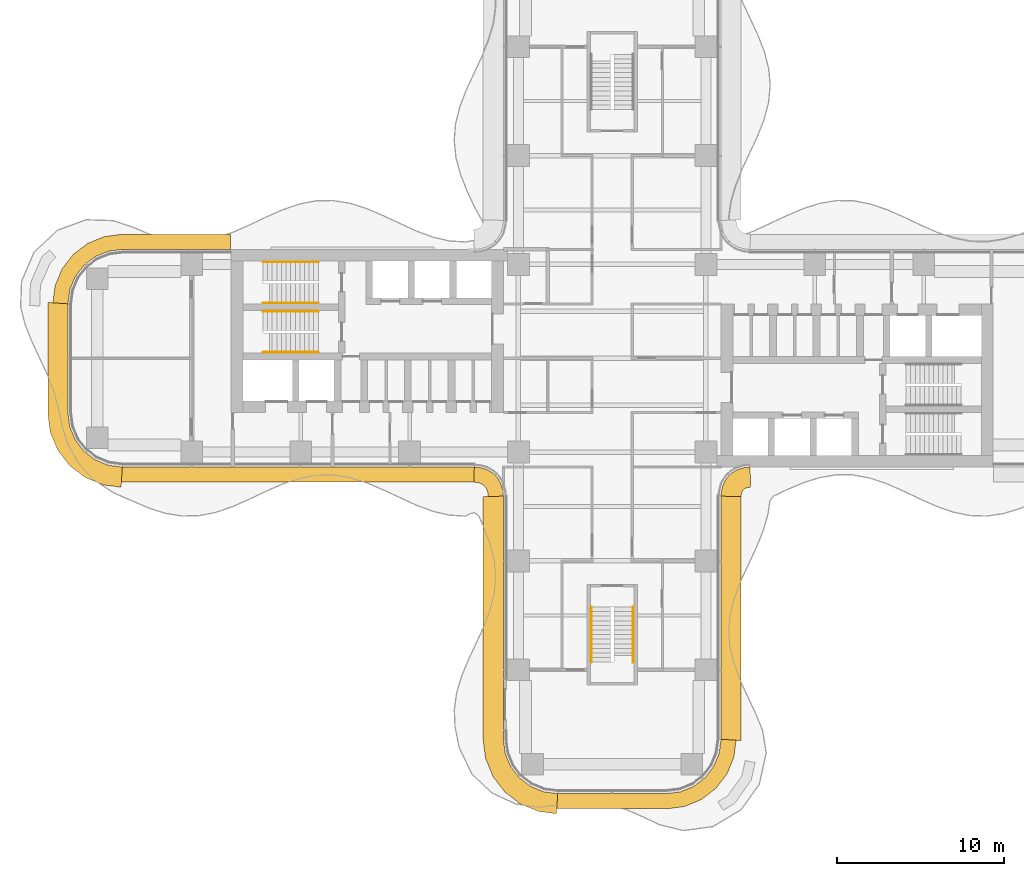
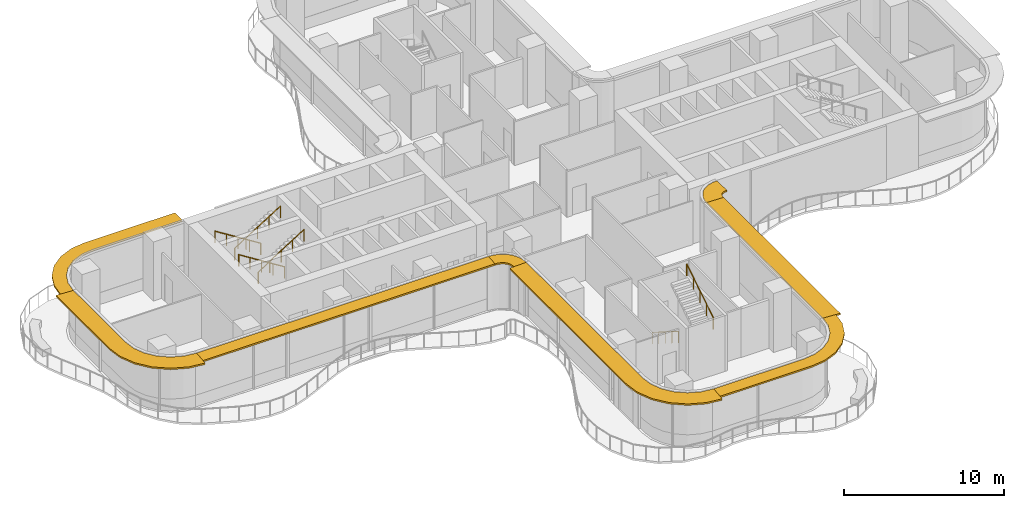
# One storey, part 19 of 20: 8 shading devices, 6 railings.
"""IFC4 building model written with IfcOpenShell, lengths in metres."""

from ifc_helpers import new_model, si_unit, direction, frame, origin, origin_2d, place, context, subcontext, project, spatial, polyline, circle, outline, extrude, source, transform, mapped, material, layer, layer_set, type_object, element, save


model = new_model("IFC4")

# Units and contexts
model_context = context("Model", 3, precision=1e-05, world=origin(), true_north=direction((0.0, 1.0)))
body_context = subcontext(model_context, "Body", "Model", "MODEL_VIEW")
ifc_project = project(units=[si_unit("LENGTHUNIT", "METRE"), si_unit("AREAUNIT", "SQUARE_METRE"), si_unit("VOLUMEUNIT", "CUBIC_METRE"), si_unit("PLANEANGLEUNIT", "RADIAN"), si_unit("MASSUNIT", "GRAM", prefix="KILO")], contexts=[model_context])

# Site, building, storey
site_placement = place(None, origin())
site = spatial("IfcSite", under=ifc_project, at=site_placement, CompositionType="ELEMENT")
building_placement = place(site_placement, origin())
building = spatial("IfcBuilding", under=site, at=building_placement, Name="Trellis Farm Tower", CompositionType="ELEMENT")
storey_placement = place(building_placement, frame((0.0, 0.0, 142.5)))
storey = spatial("IfcBuildingStorey", under=building, at=storey_placement, Name="L30", CompositionType="ELEMENT", Elevation=142.5)

# Railings
ifc_material_1 = material(Name="Stainless steel", Category="steel")
railing_type = type_object("IfcRailingType", Name="STAIR HANDRAIL 900", PredefinedType="HANDRAIL", material=ifc_material_1)
shared_shape_1 = source(origin(), body_context, "Body", "SweptSolid", [
    extrude(circle(Radius=0.02392578125, at=origin_2d()), frame((0.0, 0.0, 0.8759765625), z_axis=(0.0, 0.846319618018, 0.532675421018), x_axis=(-1.0, 0.0, 0.0)), (0.0, 0.0, 1.0), 3.89892578125),
    extrude(circle(Radius=0.02099609375, at=origin_2d()), origin(), (0.0, 0.0, 1.0), 0.851806640625),
    extrude(circle(Radius=0.02099609375, at=origin_2d()), frame((0.0, 0.824951171875, 0.519287109375)), (0.0, 0.0, 1.0), 0.851806640625),
    extrude(circle(Radius=0.02099609375, at=origin_2d()), frame((0.0, 1.64990234375, 1.03857421875)), (0.0, 0.0, 1.0), 0.851806640625),
    extrude(circle(Radius=0.02099609375, at=origin_2d()), frame((0.0, 2.474853515625, 1.5576171875)), (0.0, 0.0, 1.0), 0.851806640625),
    extrude(circle(Radius=0.02099609375, at=origin_2d()), frame((0.0, 3.2998046875, 2.076904296875)), (0.0, 0.0, 1.0), 0.851806640625),
])
railing_1_placement = place(storey_placement, frame((1.25, -18.14990234375, 2.423095703125)))
element("IfcRailing", 1, at=railing_1_placement, inside=storey, type_object=railing_type, Name="Stair handrail", PredefinedType="HANDRAIL", context=body_context, shape_type="MappedRepresentation", body=[
    mapped(shared_shape_1, transform((0.0, 0.0, 0.0))),
])
shared_shape_2 = source(origin(), body_context, "Body", "SweptSolid", [
    extrude(circle(Radius=0.02392578125, at=origin_2d()), frame((0.0, 0.0, 0.8759765625), z_axis=(0.0, -0.846319618018, 0.532675421018), x_axis=(1.0, 0.0, 0.0)), (0.0, 0.0, 1.0), 3.89892578125),
    extrude(circle(Radius=0.02099609375, at=origin_2d()), origin(), (0.0, 0.0, 1.0), 0.851806640625),
    extrude(circle(Radius=0.02099609375, at=origin_2d()), frame((0.0, -0.824951171875, 0.519287109375)), (0.0, 0.0, 1.0), 0.851806640625),
    extrude(circle(Radius=0.02099609375, at=origin_2d()), frame((0.0, -1.64990234375, 1.03857421875)), (0.0, 0.0, 1.0), 0.851806640625),
    extrude(circle(Radius=0.02099609375, at=origin_2d()), frame((0.0, -2.474853515625, 1.5576171875)), (0.0, 0.0, 1.0), 0.851806640625),
    extrude(circle(Radius=0.02099609375, at=origin_2d()), frame((0.0, -3.2998046875, 2.076904296875)), (0.0, 0.0, 1.0), 0.851806640625),
])
railing_2_placement = place(storey_placement, frame((-1.25, -14.85009765625, 0.173095703125)))
element("IfcRailing", 2, at=railing_2_placement, inside=storey, type_object=railing_type, Name="Stair handrail", PredefinedType="HANDRAIL", context=body_context, shape_type="MappedRepresentation", body=[
    mapped(shared_shape_2, transform((0.0, 0.0, 0.0))),
])
shared_shape_3 = source(origin(), body_context, "Body", "SweptSolid", [
    extrude(circle(Radius=0.02392578125, at=origin_2d()), frame((0.0, 0.0, 0.8759765625), z_axis=(0.846337383501, 0.0, 0.532647194011), x_axis=(0.0, 1.0, 0.0)), (0.0, 0.0, 1.0), 3.899169921875),
    extrude(circle(Radius=0.02099609375, at=origin_2d()), origin(), (0.0, 0.0, 1.0), 0.851806640625),
    extrude(circle(Radius=0.02099609375, at=origin_2d()), frame((0.824951171875, 0.0, 0.519287109375)), (0.0, 0.0, 1.0), 0.851806640625),
    extrude(circle(Radius=0.02099609375, at=origin_2d()), frame((1.64990234375, 0.0, 1.03857421875)), (0.0, 0.0, 1.0), 0.851806640625),
    extrude(circle(Radius=0.02099609375, at=origin_2d()), frame((2.47509765625, 0.0, 1.5576171875)), (0.0, 0.0, 1.0), 0.851806640625),
    extrude(circle(Radius=0.02099609375, at=origin_2d()), frame((3.300048828125, 0.0, 2.076904296875)), (0.0, 0.0, 1.0), 0.851806640625),
])
for number, where, name in (
    (3, (-20.85009765625, 3.300048828125, 2.423095703125), "Stair handrail"),
    (4, (-20.85009765625, 0.35009765625, 2.423095703125), "Stair handrail"),
):
    element("IfcRailing", number, at=place(storey_placement, frame(where)), inside=storey, type_object=railing_type, Name=name, PredefinedType="HANDRAIL", context=body_context, shape_type="MappedRepresentation", body=[
        mapped(shared_shape_3, transform((0.0, 0.0, 0.0))),
    ])
shared_shape_4 = source(origin(), body_context, "Body", "SweptSolid", [
    extrude(circle(Radius=0.02392578125, at=origin_2d()), frame((0.0, 0.0, 0.8759765625), z_axis=(-0.846337383501, 0.0, 0.532647194011), x_axis=(0.0, -1.0, 0.0)), (0.0, 0.0, 1.0), 3.899169921875),
    extrude(circle(Radius=0.02099609375, at=origin_2d()), origin(), (0.0, 0.0, 1.0), 0.851806640625),
    extrude(circle(Radius=0.02099609375, at=origin_2d()), frame((-0.824951171875, 0.0, 0.519287109375)), (0.0, 0.0, 1.0), 0.851806640625),
    extrude(circle(Radius=0.02099609375, at=origin_2d()), frame((-1.64990234375, 0.0, 1.03857421875)), (0.0, 0.0, 1.0), 0.851806640625),
    extrude(circle(Radius=0.02099609375, at=origin_2d()), frame((-2.47509765625, 0.0, 1.5576171875)), (0.0, 0.0, 1.0), 0.851806640625),
    extrude(circle(Radius=0.02099609375, at=origin_2d()), frame((-3.300048828125, 0.0, 2.076904296875)), (0.0, 0.0, 1.0), 0.851806640625),
])
for number, where, name in (
    (5, (-17.550048828125, 5.75, 0.173095703125), "Stair handrail"),
    (6, (-17.550048828125, 2.800048828125, 0.173095703125), "Stair handrail"),
):
    element("IfcRailing", number, at=place(storey_placement, frame(where)), inside=storey, type_object=railing_type, Name=name, PredefinedType="HANDRAIL", context=body_context, shape_type="MappedRepresentation", body=[
        mapped(shared_shape_4, transform((0.0, 0.0, 0.0))),
    ])

# Shading devices
ifc_material_2 = material(Name="Aluminium extrusion 6063-T6", Category="aluminium")
ifc_layer_1 = layer(ifc_material_2, 0.1201171875)
ifc_layer_set_1 = layer_set([ifc_layer_1], Name="SUNSHADE BLADE 900")
shading_device_type_1 = type_object("IfcShadingDeviceType", Name="SUNSHADE BLADE 900", PredefinedType="USERDEFINED", material=ifc_layer_set_1)
shared_shape_5 = source(origin(), body_context, "Body", "SweptSolid", [
    extrude(outline(polyline([(-29.30908203125, -7.39990234375), (-8.2607421875, -7.39990234375), (-8.2314453125, -6.5), (-29.25, -6.5), (-29.30908203125, -7.39990234375)])), origin(), (0.0, 0.0, 1.0), 0.119873046875),
])
placement = place(storey_placement, frame((0.0, 0.0, 4.090087890625)))
element("IfcShadingDevice", 7, at=placement, inside=storey, type_object=shading_device_type_1, Name="SD1 001", ObjectType="SUNSHADE", PredefinedType="USERDEFINED", context=body_context, shape_type="MappedRepresentation", body=[
    mapped(shared_shape_5, transform((0.0, 0.0, 0.0))),
])
shared_shape_6 = source(origin(), body_context, "Body", "SweptSolid", [
    extrude(outline(polyline([(-8.2607421875, -7.39990234375), (-8.107666015625, -7.409912109375), (-8.091552734375, -7.412109375), (-7.85595703125, -7.475341796875), (-7.697021484375, -7.567138671875), (-7.567138671875, -7.697021484375), (-7.475341796875, -7.85595703125), (-7.412109375, -8.091552734375), (-7.409912109375, -8.107666015625), (-7.39990234375, -8.2607421875), (-6.5, -8.2314453125), (-6.513916015625, -8.01953125), (-6.527587890625, -7.91552734375), (-6.63671875, -7.508544921875), (-6.846923828125, -7.144287109375), (-7.144287109375, -6.846923828125), (-7.508544921875, -6.63671875), (-7.91552734375, -6.527587890625), (-8.01953125, -6.513916015625), (-8.2314453125, -6.5), (-8.2607421875, -7.39990234375)])), origin(), (0.0, 0.0, 1.0), 0.119873046875),
])
element("IfcShadingDevice", 8, at=placement, inside=storey, type_object=shading_device_type_1, Name="SD1 002", ObjectType="SUNSHADE", PredefinedType="USERDEFINED", context=body_context, shape_type="MappedRepresentation", body=[
    mapped(shared_shape_6, transform((0.0, 0.0, 0.0))),
])
ifc_layer_2 = layer(ifc_material_2, 0.1201171875)
ifc_layer_set_2 = layer_set([ifc_layer_2], Name="SUNSHADE BLADE 1200")
shading_device_type_2 = type_object("IfcShadingDeviceType", Name="SUNSHADE BLADE 1200", PredefinedType="USERDEFINED", material=ifc_layer_set_2)
shared_shape_7 = source(origin(), body_context, "Body", "SweptSolid", [
    extrude(outline(polyline([(7.699951171875, -8.270751953125), (7.708740234375, -8.13720703125), (7.70703125, -8.150146484375), (7.7548828125, -7.9716796875), (7.80712890625, -7.881103515625), (7.881103515625, -7.80712890625), (7.9716796875, -7.7548828125), (8.150146484375, -7.70703125), (8.13720703125, -7.708740234375), (8.270751953125, -7.699951171875), (8.2314453125, -6.5), (8.01953125, -6.513916015625), (7.91552734375, -6.527587890625), (7.508544921875, -6.63671875), (7.144287109375, -6.846923828125), (6.846923828125, -7.144287109375), (6.63671875, -7.508544921875), (6.527587890625, -7.91552734375), (6.513916015625, -8.01953125), (6.5, -8.2314453125), (7.699951171875, -8.270751953125)])), origin(), (0.0, 0.0, 1.0), 0.119873046875),
])
element("IfcShadingDevice", 9, at=placement, inside=storey, type_object=shading_device_type_2, Name="SD2 006", ObjectType="SUNSHADE", PredefinedType="USERDEFINED", context=body_context, shape_type="MappedRepresentation", body=[
    mapped(shared_shape_7, transform((0.0, 0.0, 0.0))),
])
shared_shape_8 = source(origin(), body_context, "Body", "SweptSolid", [
    extrude(outline(polyline([(-22.780029296875, 7.39990234375), (-29.30908203125, 7.39990234375), (-30.326171875, 7.26611328125), (-31.328857421875, 6.850830078125), (-32.18994140625, 6.18994140625), (-32.850830078125, 5.328857421875), (-33.26611328125, 4.326171875), (-33.39990234375, 3.30908203125), (-32.5, 3.25), (-32.38916015625, 4.091064453125), (-32.064697265625, 4.875), (-31.548095703125, 5.548095703125), (-30.875, 6.064697265625), (-30.091064453125, 6.38916015625), (-29.25, 6.5), (-22.780029296875, 6.5), (-22.780029296875, 7.39990234375)])), origin(), (0.0, 0.0, 1.0), 0.119873046875),
])
element("IfcShadingDevice", 10, at=placement, inside=storey, type_object=shading_device_type_1, Name="SD1 015", ObjectType="SUNSHADE", PredefinedType="USERDEFINED", context=body_context, shape_type="MappedRepresentation", body=[
    mapped(shared_shape_8, transform((0.0, 0.0, 0.0))),
])
shared_shape_9 = source(origin(), body_context, "Body", "SweptSolid", [
    extrude(outline(polyline([(-33.699951171875, 3.32861328125), (-33.699951171875, -3.32861328125), (-33.558349609375, -4.404541015625), (-33.11279296875, -5.480224609375), (-32.404052734375, -6.404052734375), (-31.480224609375, -7.11279296875), (-30.404541015625, -7.558349609375), (-29.32861328125, -7.699951171875), (-29.25, -6.5), (-30.091064453125, -6.38916015625), (-30.875, -6.064697265625), (-31.548095703125, -5.548095703125), (-32.064697265625, -4.875), (-32.38916015625, -4.091064453125), (-32.5, -3.25), (-32.5, 3.25), (-33.699951171875, 3.32861328125)])), origin(), (0.0, 0.0, 1.0), 0.119873046875),
])
element("IfcShadingDevice", 11, at=placement, inside=storey, type_object=shading_device_type_2, Name="SD2 016", ObjectType="SUNSHADE", PredefinedType="USERDEFINED", context=body_context, shape_type="MappedRepresentation", body=[
    mapped(shared_shape_9, transform((0.0, 0.0, 0.0))),
])
shared_shape_10 = source(origin(), body_context, "Body", "SweptSolid", [
    extrude(outline(polyline([(-7.699951171875, -8.270751953125), (-7.699951171875, -22.82861328125), (-7.558349609375, -23.904541015625), (-7.11279296875, -24.980224609375), (-6.404052734375, -25.904052734375), (-5.480224609375, -26.61279296875), (-4.404541015625, -27.058349609375), (-3.32861328125, -27.199951171875), (-3.25, -26.0), (-4.091064453125, -25.88916015625), (-4.875, -25.564697265625), (-5.548095703125, -25.048095703125), (-6.064697265625, -24.375), (-6.38916015625, -23.591064453125), (-6.5, -22.75), (-6.5, -8.2314453125), (-7.699951171875, -8.270751953125)])), origin(), (0.0, 0.0, 1.0), 0.119873046875),
])
element("IfcShadingDevice", 12, at=placement, inside=storey, type_object=shading_device_type_2, Name="SD2 003", ObjectType="SUNSHADE", PredefinedType="USERDEFINED", context=body_context, shape_type="MappedRepresentation", body=[
    mapped(shared_shape_10, transform((0.0, 0.0, 0.0))),
])
shared_shape_11 = source(origin(), body_context, "Body", "SweptSolid", [
    extrude(outline(polyline([(-3.30908203125, -26.89990234375), (3.30908203125, -26.89990234375), (4.326171875, -26.76611328125), (5.328857421875, -26.350830078125), (6.18994140625, -25.68994140625), (6.850830078125, -24.828857421875), (7.26611328125, -23.826171875), (7.39990234375, -22.80908203125), (6.5, -22.75), (6.38916015625, -23.591064453125), (6.064697265625, -24.375), (5.548095703125, -25.048095703125), (4.875, -25.564697265625), (4.091064453125, -25.88916015625), (3.25, -26.0), (-3.25, -26.0), (-3.30908203125, -26.89990234375)])), origin(), (0.0, 0.0, 1.0), 0.119873046875),
])
element("IfcShadingDevice", 13, at=placement, inside=storey, type_object=shading_device_type_1, Name="SD1 004", ObjectType="SUNSHADE", PredefinedType="USERDEFINED", context=body_context, shape_type="MappedRepresentation", body=[
    mapped(shared_shape_11, transform((0.0, 0.0, 0.0))),
])
shared_shape_12 = source(origin(), body_context, "Body", "SweptSolid", [
    extrude(outline(polyline([(7.699951171875, -22.82861328125), (7.699951171875, -8.270751953125), (6.5, -8.2314453125), (6.5, -22.75), (7.699951171875, -22.82861328125)])), origin(), (0.0, 0.0, 1.0), 0.119873046875),
])
element("IfcShadingDevice", 14, at=placement, inside=storey, type_object=shading_device_type_2, Name="SD2 005", ObjectType="SUNSHADE", PredefinedType="USERDEFINED", context=body_context, shape_type="MappedRepresentation", body=[
    mapped(shared_shape_12, transform((0.0, 0.0, 0.0))),
])

save(model, "model.ifc")
